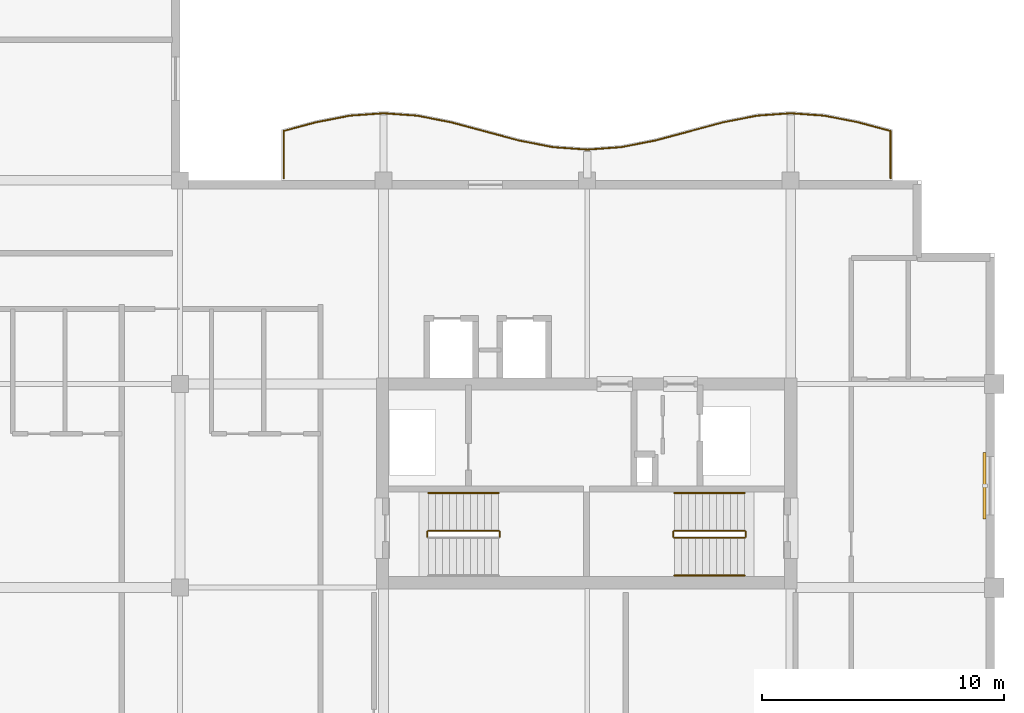
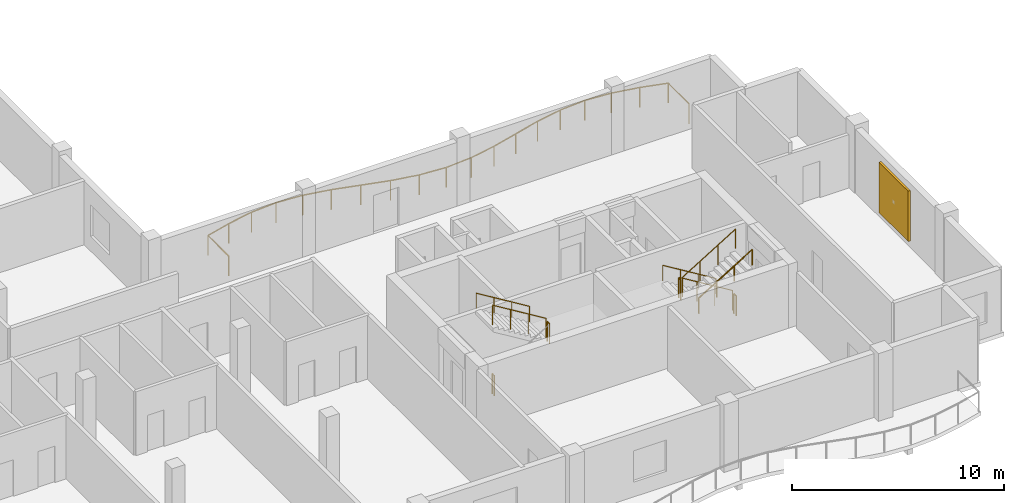
# One storey, part 15 of 17: 11 railings, 1 shading device.
"""IFC4 building model written with IfcOpenShell, lengths in metres."""

from ifc_helpers import new_model, si_unit, direction, frame, origin, origin_2d, place, context, subcontext, project, spatial, rectangle, circle, extrude, material, layer, layer_set, type_object, element, save


model = new_model("IFC4")

# Units and contexts
model_context = context("Model", 3, precision=1e-05, world=origin(), true_north=direction((0.0, 1.0)))
body_context = subcontext(model_context, "Body", "Model", "MODEL_VIEW")
ifc_project = project(units=[si_unit("LENGTHUNIT", "METRE"), si_unit("AREAUNIT", "SQUARE_METRE"), si_unit("VOLUMEUNIT", "CUBIC_METRE"), si_unit("PLANEANGLEUNIT", "RADIAN"), si_unit("MASSUNIT", "GRAM", prefix="KILO")], contexts=[model_context])

# Site, building, storey
site_placement = place(None, origin())
site = spatial("IfcSite", under=ifc_project, at=site_placement, CompositionType="ELEMENT")
building_placement = place(site_placement, origin())
building = spatial("IfcBuilding", under=site, at=building_placement, Name="Koriwani Terraces Tower", CompositionType="ELEMENT")
storey_placement = place(building_placement, frame((0.0, 0.0, 316.39990234375)))
storey = spatial("IfcBuildingStorey", under=building, at=storey_placement, Name="L78", CompositionType="ELEMENT", Elevation=316.39990234375)

# Railings
ifc_material_1 = material(Name="Steel ASTM A572 Grade 50", Category="steel")
railing_type_1 = type_object("IfcRailingType", Name="GUARD_BALUSTRADE_1150", PredefinedType="BALUSTRADE", material=ifc_material_1)
railing_1_placement = place(storey_placement, frame((62.919921875, 33.679931640625, 0.0)))
element("IfcRailing", 1, at=railing_1_placement, inside=storey, type_object=railing_type_1, Name="L78 Balcony Perimeter Safety Balustrade (NE)", PredefinedType="BALUSTRADE", context=body_context, shape_type="SweptSolid", body=[
    extrude(circle(Radius=0.02392578125, at=origin_2d()), frame((0.0, 0.0, 1.1259765625), z_axis=(0.0, 1.0, 0.0), x_axis=(-1.0, 0.0, 0.0)), (0.0, 0.0, 1.0), 1.958740234375),
    extrude(circle(Radius=0.02392578125, at=origin_2d()), frame((0.0, 1.958740234375, 1.1259765625), z_axis=(-0.965953557044, 0.25871553033, 0.0), x_axis=(-0.25871553033, -0.965953557044, 0.0)), (0.0, 0.0, 1.0), 1.38525390625),
    extrude(circle(Radius=0.02392578125, at=origin_2d()), frame((-1.338134765625, 2.317138671875, 1.1259765625), z_axis=(-0.981321393675, 0.19237547223, 0.0), x_axis=(-0.19237547223, -0.981321393675, 0.0)), (0.0, 0.0, 1.0), 1.4189453125),
    extrude(circle(Radius=0.02392578125, at=origin_2d()), frame((-2.73046875, 2.590087890625, 1.1259765625), z_axis=(-0.997427466293, 0.07168297904, 0.0), x_axis=(-0.07168297904, -0.997427466293, 0.0)), (0.0, 0.0, 1.0), 1.39306640625),
    extrude(circle(Radius=0.02392578125, at=origin_2d()), frame((-4.119873046875, 2.68994140625, 1.1259765625), z_axis=(-0.997427466293, -0.07168297904, 0.0), x_axis=(0.07168297904, -0.997427466293, 0.0)), (0.0, 0.0, 1.0), 1.39306640625),
    extrude(circle(Radius=0.02392578125, at=origin_2d()), frame((-5.50927734375, 2.590087890625, 1.1259765625), z_axis=(-0.981327760125, -0.192342993657, 0.0), x_axis=(0.192342993657, -0.981327760125, 0.0)), (0.0, 0.0, 1.0), 1.419189453125),
    extrude(circle(Radius=0.02392578125, at=origin_2d()), frame((-6.90185546875, 2.317138671875, 1.1259765625), z_axis=(-0.96594917914, -0.258731875344, 0.0), x_axis=(0.258731875344, -0.96594917914, 0.0)), (0.0, 0.0, 1.0), 2.898681640625),
    extrude(circle(Radius=0.02392578125, at=origin_2d()), frame((-9.701904296875, 1.567138671875, 1.1259765625), z_axis=(-0.981358469957, -0.192186246762, 0.0), x_axis=(0.192186246762, -0.981358469957, 0.0)), (0.0, 0.0, 1.0), 1.434326171875),
    extrude(circle(Radius=0.02392578125, at=origin_2d()), frame((-11.109375, 1.29150390625, 1.1259765625), z_axis=(-0.997430581876, -0.071639614309, 0.0), x_axis=(0.071639614309, -0.997430581876, 0.0)), (0.0, 0.0, 1.0), 1.414306640625),
    extrude(circle(Radius=0.02392578125, at=origin_2d()), frame((-12.52001953125, 1.190185546875, 1.1259765625), z_axis=(-0.997429695692, 0.071651951482, 0.0), x_axis=(-0.071651951482, -0.997429695692, 0.0)), (0.0, 0.0, 1.0), 1.4140625),
    extrude(circle(Radius=0.02392578125, at=origin_2d()), frame((-13.930419921875, 1.29150390625, 1.1259765625), z_axis=(-0.981358469957, 0.192186246762, 0.0), x_axis=(-0.192186246762, -0.981358469957, 0.0)), (0.0, 0.0, 1.0), 1.434326171875),
    extrude(circle(Radius=0.02392578125, at=origin_2d()), frame((-15.337890625, 1.567138671875, 1.1259765625), z_axis=(-0.96594917914, 0.258731875344, 0.0), x_axis=(-0.258731875344, -0.96594917914, 0.0)), (0.0, 0.0, 1.0), 2.898681640625),
    extrude(circle(Radius=0.02392578125, at=origin_2d()), frame((-18.137939453125, 2.317138671875, 1.1259765625), z_axis=(-0.981327760125, 0.192342993657, 0.0), x_axis=(-0.192342993657, -0.981327760125, 0.0)), (0.0, 0.0, 1.0), 1.419189453125),
    extrude(circle(Radius=0.02392578125, at=origin_2d()), frame((-19.530517578125, 2.590087890625, 1.1259765625), z_axis=(-0.997427466293, 0.07168297904, 0.0), x_axis=(-0.07168297904, -0.997427466293, 0.0)), (0.0, 0.0, 1.0), 1.39306640625),
    extrude(circle(Radius=0.02392578125, at=origin_2d()), frame((-20.919921875, 2.68994140625, 1.1259765625), z_axis=(-0.997427466293, -0.07168297904, 0.0), x_axis=(0.07168297904, -0.997427466293, 0.0)), (0.0, 0.0, 1.0), 1.39306640625),
    extrude(circle(Radius=0.02392578125, at=origin_2d()), frame((-22.309326171875, 2.590087890625, 1.1259765625), z_axis=(-0.981327760125, -0.192342993657, 0.0), x_axis=(0.192342993657, -0.981327760125, 0.0)), (0.0, 0.0, 1.0), 1.419189453125),
    extrude(circle(Radius=0.02392578125, at=origin_2d()), frame((-23.701904296875, 2.317138671875, 1.1259765625), z_axis=(-0.965953557044, -0.25871553033, 0.0), x_axis=(0.25871553033, -0.965953557044, 0.0)), (0.0, 0.0, 1.0), 1.38525390625),
    extrude(circle(Radius=0.02392578125, at=origin_2d()), frame((-25.0400390625, 1.958740234375, 1.1259765625), z_axis=(0.0, -1.0, 0.0), x_axis=(1.0, 0.0, 0.0)), (0.0, 0.0, 1.0), 1.958740234375),
    extrude(circle(Radius=0.02099609375, at=origin_2d()), origin(), (0.0, 0.0, 1.0), 1.101806640625),
    extrude(circle(Radius=0.02099609375, at=origin_2d()), frame((0.0, 1.958740234375, 0.0)), (0.0, 0.0, 1.0), 1.101806640625),
    extrude(circle(Radius=0.02099609375, at=origin_2d()), frame((-1.338134765625, 2.317138671875, 0.0)), (0.0, 0.0, 1.0), 1.101806640625),
    extrude(circle(Radius=0.02099609375, at=origin_2d()), frame((-2.73046875, 2.590087890625, 0.0)), (0.0, 0.0, 1.0), 1.101806640625),
    extrude(circle(Radius=0.02099609375, at=origin_2d()), frame((-4.119873046875, 2.68994140625, 0.0)), (0.0, 0.0, 1.0), 1.101806640625),
    extrude(circle(Radius=0.02099609375, at=origin_2d()), frame((-5.50927734375, 2.590087890625, 0.0)), (0.0, 0.0, 1.0), 1.101806640625),
    extrude(circle(Radius=0.02099609375, at=origin_2d()), frame((-6.90185546875, 2.317138671875, 0.0)), (0.0, 0.0, 1.0), 1.101806640625),
    extrude(circle(Radius=0.02099609375, at=origin_2d()), frame((-8.3017578125, 1.942138671875, 0.0)), (0.0, 0.0, 1.0), 1.101806640625),
    extrude(circle(Radius=0.02099609375, at=origin_2d()), frame((-9.701904296875, 1.567138671875, 0.0)), (0.0, 0.0, 1.0), 1.101806640625),
    extrude(circle(Radius=0.02099609375, at=origin_2d()), frame((-11.109375, 1.29150390625, 0.0)), (0.0, 0.0, 1.0), 1.101806640625),
    extrude(circle(Radius=0.02099609375, at=origin_2d()), frame((-12.52001953125, 1.190185546875, 0.0)), (0.0, 0.0, 1.0), 1.101806640625),
    extrude(circle(Radius=0.02099609375, at=origin_2d()), frame((-13.930419921875, 1.29150390625, 0.0)), (0.0, 0.0, 1.0), 1.101806640625),
    extrude(circle(Radius=0.02099609375, at=origin_2d()), frame((-15.337890625, 1.567138671875, 0.0)), (0.0, 0.0, 1.0), 1.101806640625),
    extrude(circle(Radius=0.02099609375, at=origin_2d()), frame((-16.73779296875, 1.942138671875, 0.0)), (0.0, 0.0, 1.0), 1.101806640625),
    extrude(circle(Radius=0.02099609375, at=origin_2d()), frame((-18.137939453125, 2.317138671875, 0.0)), (0.0, 0.0, 1.0), 1.101806640625),
    extrude(circle(Radius=0.02099609375, at=origin_2d()), frame((-19.530517578125, 2.590087890625, 0.0)), (0.0, 0.0, 1.0), 1.101806640625),
    extrude(circle(Radius=0.02099609375, at=origin_2d()), frame((-20.919921875, 2.68994140625, 0.0)), (0.0, 0.0, 1.0), 1.101806640625),
    extrude(circle(Radius=0.02099609375, at=origin_2d()), frame((-22.309326171875, 2.590087890625, 0.0)), (0.0, 0.0, 1.0), 1.101806640625),
    extrude(circle(Radius=0.02099609375, at=origin_2d()), frame((-23.701904296875, 2.317138671875, 0.0)), (0.0, 0.0, 1.0), 1.101806640625),
    extrude(circle(Radius=0.02099609375, at=origin_2d()), frame((-25.0400390625, 1.958740234375, 0.0)), (0.0, 0.0, 1.0), 1.101806640625),
    extrude(circle(Radius=0.02099609375, at=origin_2d()), frame((-25.0400390625, 0.0, 0.0)), (0.0, 0.0, 1.0), 1.101806640625),
])
railing_type_2 = type_object("IfcRailingType", Name="GUARD_STAIR_WELL_1120", PredefinedType="GUARDRAIL", material=ifc_material_1)
railing_2_placement = place(storey_placement, frame((46.800048828125, 18.89990234375, 1.9501953125)))
element("IfcRailing", 2, at=railing_2_placement, inside=storey, type_object=railing_type_2, Name="L78 ST-E1 stair guard 2", PredefinedType="GUARDRAIL", context=body_context, shape_type="SweptSolid", body=[
    extrude(circle(Radius=0.02392578125, at=origin_2d()), frame((0.0, 0.0, 1.1259765625), z_axis=(0.0, 1.0, 0.0), x_axis=(-1.0, 0.0, 0.0)), (0.0, 0.0, 1.0), 0.2001953125),
    extrude(circle(Radius=0.02099609375, at=origin_2d()), origin(), (0.0, 0.0, 1.0), 1.101806640625),
    extrude(circle(Radius=0.02099609375, at=origin_2d()), frame((0.0, 0.2001953125, 0.0)), (0.0, 0.0, 1.0), 1.101806640625),
])
railing_3_placement = place(storey_placement, frame((46.75, 19.14990234375, 2.12744140625)))
element("IfcRailing", 3, at=railing_3_placement, inside=storey, type_object=railing_type_2, Name="L78 ST-E1 stair guard 3", PredefinedType="GUARDRAIL", context=body_context, shape_type="SweptSolid", body=[
    extrude(circle(Radius=0.02392578125, at=origin_2d()), frame((0.0, 0.0, 1.1259765625), z_axis=(-0.853210801645, 0.0, 0.521566225858), x_axis=(0.0, -1.0, 0.0)), (0.0, 0.0, 1.0), 3.39892578125),
    extrude(circle(Radius=0.02099609375, at=origin_2d()), origin(), (0.0, 0.0, 1.0), 1.101806640625),
    extrude(circle(Radius=0.02099609375, at=origin_2d()), frame((-0.966552734375, 0.0, 0.5908203125)), (0.0, 0.0, 1.0), 1.101806640625),
    extrude(circle(Radius=0.02099609375, at=origin_2d()), frame((-1.933349609375, 0.0, 1.181884765625)), (0.0, 0.0, 1.0), 1.101806640625),
    extrude(circle(Radius=0.02099609375, at=origin_2d()), frame((-2.89990234375, 0.0, 1.772705078125)), (0.0, 0.0, 1.0), 1.101806640625),
])
railing_4_placement = place(storey_placement, frame((43.800048828125, 18.89990234375, 0.0)))
element("IfcRailing", 4, at=railing_4_placement, inside=storey, type_object=railing_type_2, Name="L78 ST-E1 stair guard 4", PredefinedType="GUARDRAIL", context=body_context, shape_type="SweptSolid", body=[
    extrude(circle(Radius=0.02392578125, at=origin_2d()), frame((0.0, 0.0, 1.1259765625), z_axis=(0.0, 1.0, 0.0), x_axis=(-1.0, 0.0, 0.0)), (0.0, 0.0, 1.0), 0.2001953125),
    extrude(circle(Radius=0.02099609375, at=origin_2d()), origin(), (0.0, 0.0, 1.0), 1.101806640625),
    extrude(circle(Radius=0.02099609375, at=origin_2d()), frame((0.0, 0.2001953125, 0.0)), (0.0, 0.0, 1.0), 1.101806640625),
])
railing_5_placement = place(storey_placement, frame((56.89990234375, 19.14990234375, 0.177490234375)))
element("IfcRailing", 5, at=railing_5_placement, inside=storey, type_object=railing_type_2, Name="L78 ST-E2 stair guard 1", PredefinedType="GUARDRAIL", context=body_context, shape_type="SweptSolid", body=[
    extrude(circle(Radius=0.02392578125, at=origin_2d()), frame((0.0, 0.0, 1.1259765625), z_axis=(-0.853210801645, 0.0, 0.521566225858), x_axis=(0.0, -1.0, 0.0)), (0.0, 0.0, 1.0), 3.39892578125),
    extrude(circle(Radius=0.02099609375, at=origin_2d()), origin(), (0.0, 0.0, 1.0), 1.101806640625),
    extrude(circle(Radius=0.02099609375, at=origin_2d()), frame((-0.966552734375, 0.0, 0.5908203125)), (0.0, 0.0, 1.0), 1.101806640625),
    extrude(circle(Radius=0.02099609375, at=origin_2d()), frame((-1.933349609375, 0.0, 1.181884765625)), (0.0, 0.0, 1.0), 1.101806640625),
    extrude(circle(Radius=0.02099609375, at=origin_2d()), frame((-2.89990234375, 0.0, 1.772705078125)), (0.0, 0.0, 1.0), 1.101806640625),
])
railing_6_placement = place(storey_placement, frame((53.949951171875, 19.10009765625, 1.9501953125)))
element("IfcRailing", 6, at=railing_6_placement, inside=storey, type_object=railing_type_2, Name="L78 ST-E2 stair guard 2", PredefinedType="GUARDRAIL", context=body_context, shape_type="SweptSolid", body=[
    extrude(circle(Radius=0.02392578125, at=origin_2d()), frame((0.0, 0.0, 1.1259765625), z_axis=(0.0, -1.0, 0.0), x_axis=(1.0, 0.0, 0.0)), (0.0, 0.0, 1.0), 0.2001953125),
    extrude(circle(Radius=0.02099609375, at=origin_2d()), origin(), (0.0, 0.0, 1.0), 1.101806640625),
    extrude(circle(Radius=0.02099609375, at=origin_2d()), frame((0.0, -0.2001953125, 0.0)), (0.0, 0.0, 1.0), 1.101806640625),
])
railing_7_placement = place(storey_placement, frame((54.0, 18.85009765625, 2.12744140625)))
element("IfcRailing", 7, at=railing_7_placement, inside=storey, type_object=railing_type_2, Name="L78 ST-E2 stair guard 3", PredefinedType="GUARDRAIL", context=body_context, shape_type="SweptSolid", body=[
    extrude(circle(Radius=0.02392578125, at=origin_2d()), frame((0.0, 0.0, 1.1259765625), z_axis=(0.853210801645, 0.0, 0.521566225858), x_axis=(0.0, 1.0, 0.0)), (0.0, 0.0, 1.0), 3.39892578125),
    extrude(circle(Radius=0.02099609375, at=origin_2d()), origin(), (0.0, 0.0, 1.0), 1.101806640625),
    extrude(circle(Radius=0.02099609375, at=origin_2d()), frame((0.966552734375, 0.0, 0.5908203125)), (0.0, 0.0, 1.0), 1.101806640625),
    extrude(circle(Radius=0.02099609375, at=origin_2d()), frame((1.933349609375, 0.0, 1.181884765625)), (0.0, 0.0, 1.0), 1.101806640625),
    extrude(circle(Radius=0.02099609375, at=origin_2d()), frame((2.89990234375, 0.0, 1.772705078125)), (0.0, 0.0, 1.0), 1.101806640625),
])
railing_8_placement = place(storey_placement, frame((56.949951171875, 19.10009765625, 0.0)))
element("IfcRailing", 8, at=railing_8_placement, inside=storey, type_object=railing_type_2, Name="L78 ST-E2 stair guard 4", PredefinedType="GUARDRAIL", context=body_context, shape_type="SweptSolid", body=[
    extrude(circle(Radius=0.02392578125, at=origin_2d()), frame((0.0, 0.0, 1.1259765625), z_axis=(0.0, -1.0, 0.0), x_axis=(1.0, 0.0, 0.0)), (0.0, 0.0, 1.0), 0.2001953125),
    extrude(circle(Radius=0.02099609375, at=origin_2d()), origin(), (0.0, 0.0, 1.0), 1.101806640625),
    extrude(circle(Radius=0.02099609375, at=origin_2d()), frame((0.0, -0.2001953125, 0.0)), (0.0, 0.0, 1.0), 1.101806640625),
])
railing_type_3 = type_object("IfcRailingType", Name="HANDRAIL_STAIR_920", PredefinedType="HANDRAIL", material=ifc_material_1)
for number, where, name in (
    (9, (46.75, 20.699951171875, 2.12744140625), "L78 ST-E1 stair handrail 2"),
    (10, (56.89990234375, 20.699951171875, 0.177490234375), "L78 ST-E2 stair handrail 1"),
):
    element("IfcRailing", number, at=place(storey_placement, frame(where)), inside=storey, type_object=railing_type_3, Name=name, PredefinedType="HANDRAIL", context=body_context, shape_type="SweptSolid", body=[
        extrude(circle(Radius=0.02392578125, at=origin_2d()), frame((0.0, 0.0, 0.8759765625), z_axis=(-0.853210801645, 0.0, 0.521566225858), x_axis=(0.0, -1.0, 0.0)), (0.0, 0.0, 1.0), 3.39892578125),
        extrude(circle(Radius=0.02099609375, at=origin_2d()), origin(), (0.0, 0.0, 1.0), 0.851806640625),
        extrude(circle(Radius=0.02099609375, at=origin_2d()), frame((-0.966552734375, 0.0, 0.5908203125)), (0.0, 0.0, 1.0), 0.851806640625),
        extrude(circle(Radius=0.02099609375, at=origin_2d()), frame((-1.933349609375, 0.0, 1.181884765625)), (0.0, 0.0, 1.0), 0.851806640625),
        extrude(circle(Radius=0.02099609375, at=origin_2d()), frame((-2.89990234375, 0.0, 1.772705078125)), (0.0, 0.0, 1.0), 0.851806640625),
    ])
railing_9_placement = place(storey_placement, frame((54.0, 17.300048828125, 2.12744140625)))
element("IfcRailing", 11, at=railing_9_placement, inside=storey, type_object=railing_type_3, Name="L78 ST-E2 stair handrail 2", PredefinedType="HANDRAIL", context=body_context, shape_type="SweptSolid", body=[
    extrude(circle(Radius=0.02392578125, at=origin_2d()), frame((0.0, 0.0, 0.8759765625), z_axis=(0.853210801645, 0.0, 0.521566225858), x_axis=(0.0, 1.0, 0.0)), (0.0, 0.0, 1.0), 3.39892578125),
    extrude(circle(Radius=0.02099609375, at=origin_2d()), origin(), (0.0, 0.0, 1.0), 0.851806640625),
    extrude(circle(Radius=0.02099609375, at=origin_2d()), frame((0.966552734375, 0.0, 0.5908203125)), (0.0, 0.0, 1.0), 0.851806640625),
    extrude(circle(Radius=0.02099609375, at=origin_2d()), frame((1.933349609375, 0.0, 1.181884765625)), (0.0, 0.0, 1.0), 0.851806640625),
    extrude(circle(Radius=0.02099609375, at=origin_2d()), frame((2.89990234375, 0.0, 1.772705078125)), (0.0, 0.0, 1.0), 0.851806640625),
])

# Shading device
ifc_material_2 = material(Name="Extruded Terracotta Clay", Category="masonry")
ifc_layer = layer(ifc_material_2, 0.1201171875, Name="Extruded Terracotta Clay")
ifc_layer_set = layer_set([ifc_layer], Name="Extruded Terracotta Clay")
shading_device_type = type_object("IfcShadingDeviceType", Name="TERRACOTTA_BAGUETTE_SCREEN_2800", PredefinedType="USERDEFINED", material=ifc_layer_set)
shading_device_placement = place(storey_placement, frame((66.794921875, 21.0, 0.38525390625), z_axis=(0.0, 0.0, 1.0), x_axis=(0.0, -1.0, 0.0)))
element("IfcShadingDevice", 12, at=shading_device_placement, inside=storey, type_object=shading_device_type, Name="L78 Extruded Terracotta Baguette Screen (E_TIP-3)", ObjectType="BAGUETTE", PredefinedType="USERDEFINED", context=body_context, shape_type="SweptSolid", body=[
    extrude(rectangle(XDim=2.760009765625, YDim=0.1201171875, at=origin_2d()), origin(), (0.0, 0.0, 1.0), 2.89990234375),
])

save(model, "model.ifc")
